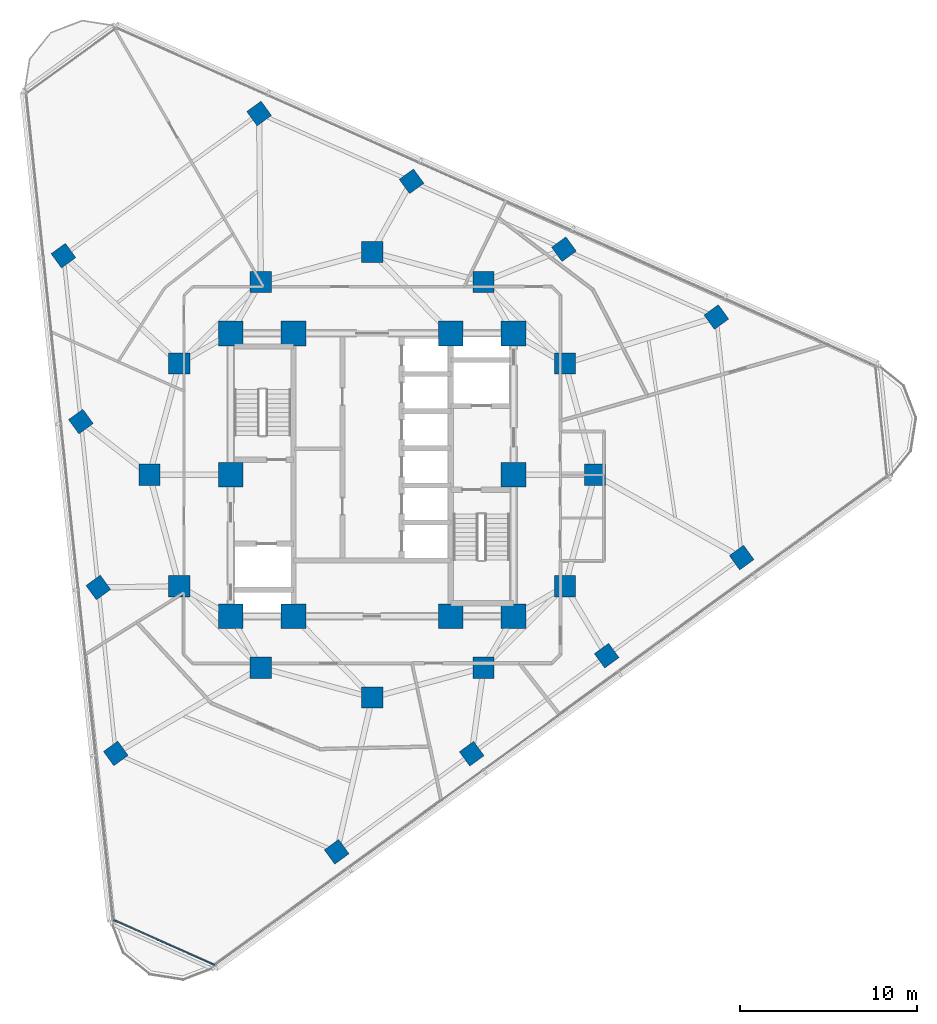
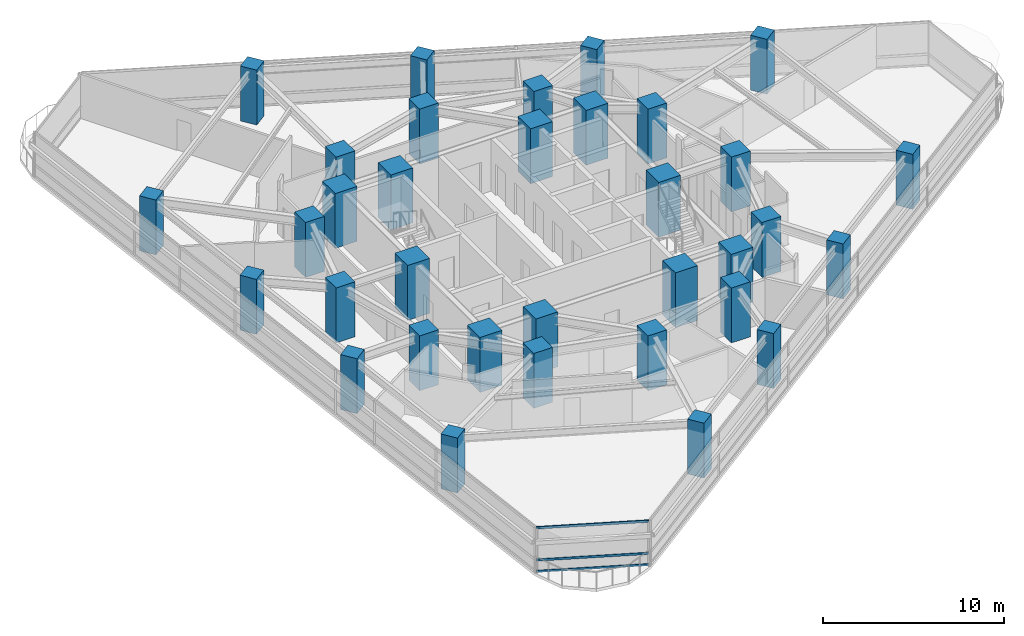
# One storey, part 1 of 14: 34 columns, 3 members, 1 element without a shape of its own.
"""IFC4 building model written with IfcOpenShell, lengths in metres."""

import ifcopenshell
import ifcopenshell.guid

model = None  # the IFC model being written
_history = None  # IfcOwnerHistory: only IFC2X3 demands one
_inside = {}  # id of a spatial element -> (the spatial element, [elements in it])
_under = {}  # id of a project, library or spatial element -> (it, [spatial elements below it])
_declared = {}  # id of a project -> (the project, [libraries it declares])
_typed = {}  # id of a type object -> (the type object, [elements of that type])
_made_of = {}  # id of a material, layer set ... -> (it, [elements and type objects made of it])


def new_model(schema):
    """Start an empty IFC model of exactly this schema.

    Asked for "IFC4X3", IfcOpenShell would pick the latest addendum, in which some entities
    have other attributes; the version numbers below select the first issue.
    IFC2X3 requires an IfcOwnerHistory on every rooted entity: one is made here for all.
    """
    global model, _history
    if schema == "IFC4X3":
        model = ifcopenshell.file(schema_version=(4, 3, 0, 0))
    else:
        model = ifcopenshell.file(schema=schema)
    _inside.clear()
    _under.clear()
    _declared.clear()
    _typed.clear()
    _made_of.clear()
    _history = None
    if model.schema == "IFC2X3":
        org = make("IfcOrganization", Name="unknown")
        user = make(
            "IfcPersonAndOrganization",
            ThePerson=make("IfcPerson", FamilyName="unknown"),
            TheOrganization=org,
        )
        app = make(
            "IfcApplication",
            ApplicationDeveloper=org,
            Version="unknown",
            ApplicationFullName="unknown",
            ApplicationIdentifier="unknown",
        )
        _history = make(
            "IfcOwnerHistory",
            OwningUser=user,
            OwningApplication=app,
            ChangeAction="ADDED",
            CreationDate=0,
        )
    return model


def make(cls, **values):
    """One entity of the class cls with the attributes given. An attribute that is None is left unset."""
    return model.create_entity(
        cls, **{name: value for name, value in values.items() if value is not None}
    )


def rooted(cls, **values):
    """An entity with a GlobalId (a new one), such as an element, a storey or a relation."""
    return make(cls, GlobalId=ifcopenshell.guid.new(), OwnerHistory=_history, **values)


def si_unit(unit_type, name, prefix=None):
    """IfcSIUnit, for example si_unit("LENGTHUNIT", "METRE", prefix="MILLI")."""
    return make("IfcSIUnit", UnitType=unit_type, Prefix=prefix, Name=name)


def assignment(units):
    """IfcUnitAssignment: the units of a project."""
    return None if units is None else make("IfcUnitAssignment", Units=units)


def point(xyz):
    """IfcCartesianPoint."""
    return None if xyz is None else make("IfcCartesianPoint", Coordinates=xyz)


def direction(xyz):
    """IfcDirection."""
    return None if xyz is None else make("IfcDirection", DirectionRatios=xyz)


def frame(location, z_axis=None, x_axis=None):
    """IfcAxis2Placement3D, a coordinate frame: its origin and axes. An axis left out is left unset."""
    return make(
        "IfcAxis2Placement3D",
        Location=point(location),
        Axis=direction(z_axis),
        RefDirection=direction(x_axis),
    )


def frame_2d(location, x_axis=None):
    """IfcAxis2Placement2D, a coordinate frame in the plane: its origin and x axis."""
    return make(
        "IfcAxis2Placement2D", Location=point(location), RefDirection=direction(x_axis)
    )


def origin():
    """The frame at (0, 0, 0) with its axes left unset."""
    return frame((0.0, 0.0, 0.0))


def origin_2d():
    """The frame at (0, 0) in the plane with its x axis left unset."""
    return frame_2d((0.0, 0.0))


def place(relative_to, where):
    """IfcLocalPlacement: puts the frame where relative to a parent placement (None: the world)."""
    return make(
        "IfcLocalPlacement", PlacementRelTo=relative_to, RelativePlacement=where
    )


def context(
    kind, dimensions, precision=None, world=None, true_north=None, identifier=None
):
    """IfcGeometricRepresentationContext, for example the 3D "Model" context."""
    return make(
        "IfcGeometricRepresentationContext",
        ContextIdentifier=identifier,
        ContextType=kind,
        CoordinateSpaceDimension=dimensions,
        Precision=precision,
        WorldCoordinateSystem=world,
        TrueNorth=true_north,
    )


def subcontext(parent, identifier, kind, view, scale=None):
    """IfcGeometricRepresentationSubContext, for example "Body" below "Model"."""
    return make(
        "IfcGeometricRepresentationSubContext",
        ContextIdentifier=identifier,
        ContextType=kind,
        ParentContext=parent,
        TargetScale=scale,
        TargetView=view,
    )


def project(units=None, contexts=None):
    """IfcProject with its units and contexts."""
    return rooted(
        "IfcProject",
        Name="project",
        RepresentationContexts=contexts,
        UnitsInContext=assignment(units),
    )


def spatial(cls, under=None, at=None, **own):
    """A site, building, storey or space (cls), placed at a placement, below another one or the project."""
    s = rooted(cls, ObjectPlacement=at, **own)
    if under is not None:
        _under.setdefault(under.id(), (under, []))[1].append(s)
    return s


def profile(cls, at=None, kind="AREA", **sizes):
    """A parametric profile (cls). Its sizes go by their IFC names, for example OverallWidth=200.0."""
    return make(cls, ProfileType=kind, Position=at, **sizes)


def rectangle(**sizes):
    """IfcRectangleProfileDef."""
    return profile("IfcRectangleProfileDef", **sizes)


def extrude(swept, where, along, depth):
    """IfcExtrudedAreaSolid: the profile swept, set in the frame where, extruded along a direction by depth."""
    return make(
        "IfcExtrudedAreaSolid",
        SweptArea=swept,
        Position=where,
        ExtrudedDirection=direction(along),
        Depth=depth,
    )


def shape(context_of_items, identifier, shape_type, items):
    """IfcShapeRepresentation: the items that make up one representation, for example the "Body"."""
    return make(
        "IfcShapeRepresentation",
        ContextOfItems=context_of_items,
        RepresentationIdentifier=identifier,
        RepresentationType=shape_type,
        Items=items,
    )


def material(Name=None, Category=None):
    """IfcMaterial."""
    return make("IfcMaterial", Name=Name, Category=Category)


def layer(
    of_material, thickness, ventilated=None, Name=None, Category=None, Priority=None
):
    """IfcMaterialLayer: one layer of a wall or slab, of a material (None: an air gap)."""
    return make(
        "IfcMaterialLayer",
        Material=of_material,
        LayerThickness=thickness,
        IsVentilated=ventilated,
        Name=Name,
        Category=Category,
        Priority=Priority,
    )


def layer_set(layers, Name=None):
    """IfcMaterialLayerSet."""
    return make("IfcMaterialLayerSet", MaterialLayers=layers, LayerSetName=Name)


def material_profile(
    of_material, cross_section, Name=None, Category=None, Priority=None
):
    """IfcMaterialProfile: a cross section and its material."""
    return make(
        "IfcMaterialProfile",
        Name=Name,
        Material=of_material,
        Profile=cross_section,
        Priority=Priority,
        Category=Category,
    )


def profile_set(profiles, Name=None, composite=None):
    """IfcMaterialProfileSet."""
    return make(
        "IfcMaterialProfileSet",
        Name=Name,
        MaterialProfiles=profiles,
        CompositeProfile=composite,
    )


def made_of(thing, what):
    """Note that an element or type object is made of a material, layer set ...; save() writes the relation."""
    if what is not None:
        _made_of.setdefault(what.id(), (what, []))[1].append(thing)
    return thing


def type_object(cls, material=None, **own):
    """A type object (cls), such as IfcWallType, which elements share."""
    return made_of(rooted(cls, **own), material)


def element(
    cls,
    number,
    at=None,
    inside=None,
    cuts=None,
    type_object=None,
    material=None,
    context=None,
    identifier="Body",
    shape_type=None,
    held_by="IfcProductDefinitionShape",
    body=None,
    shapes=None,
    **own,
):
    """One element of the class cls, such as IfcWall. Its Tag is "e" and its number.

    at: its placement. inside: the storey or other place that contains it. cuts: it is an
    opening in that element (IfcRelVoidsElement). A single representation is given by context,
    identifier, shape_type and body (its items); several are given by shapes. held_by: the class
    of the entity that holds the representations. save() writes the other relations.
    """
    e = rooted(cls, Tag="e%d" % number, ObjectPlacement=at, **own)
    if body is not None:
        shapes = [shape(context, identifier, shape_type, body)]
    if shapes is not None:
        e.Representation = make(held_by, Representations=shapes)
    if inside is not None:
        _inside.setdefault(inside.id(), (inside, []))[1].append(e)
    if cuts is not None:
        rooted(
            "IfcRelVoidsElement", RelatingBuildingElement=cuts, RelatedOpeningElement=e
        )
    if type_object is not None:
        _typed.setdefault(type_object.id(), (type_object, []))[1].append(e)
    return made_of(e, material)


def aggregate(whole, parts):
    """IfcRelAggregates: a whole, such as a stair, and the parts it consists of."""
    return rooted("IfcRelAggregates", RelatingObject=whole, RelatedObjects=parts)


def save(model, path):
    """Write the relations noted so far, then the file.

    IfcRelAggregates (storeys below a building ...), IfcRelContainedInSpatialStructure (elements
    in a storey), IfcRelDefinesByType, IfcRelAssociatesMaterial and IfcRelDeclares: one each for
    every whole, place, type object, material and project.
    """
    for whole, parts in _under.values():
        aggregate(whole, parts)
    for where, things in _inside.values():
        rooted(
            "IfcRelContainedInSpatialStructure",
            RelatedElements=things,
            RelatingStructure=where,
        )
    for kind, things in _typed.values():
        rooted("IfcRelDefinesByType", RelatedObjects=things, RelatingType=kind)
    for what, things in _made_of.values():
        rooted("IfcRelAssociatesMaterial", RelatedObjects=things, RelatingMaterial=what)
    for by, libraries in _declared.values():
        rooted("IfcRelDeclares", RelatingContext=by, RelatedDefinitions=libraries)
    model.write(path)


model = new_model("IFC4")

# Units and contexts
model_context = context("Model", 3, precision=1e-05, world=origin(), true_north=direction((0.0, 1.0)))
body_context = subcontext(model_context, "Body", "Model", "MODEL_VIEW")
ifc_project = project(units=[si_unit("LENGTHUNIT", "METRE"), si_unit("AREAUNIT", "SQUARE_METRE"), si_unit("VOLUMEUNIT", "CUBIC_METRE"), si_unit("PLANEANGLEUNIT", "RADIAN"), si_unit("MASSUNIT", "GRAM", prefix="KILO")], contexts=[model_context])

# Site, building, storey
site_placement = place(None, origin())
site = spatial("IfcSite", under=ifc_project, at=site_placement, CompositionType="ELEMENT")
building_placement = place(site_placement, origin())
building = spatial("IfcBuilding", under=site, at=building_placement, Name="Terralouvre Media Tower", CompositionType="ELEMENT")
storey_placement = place(building_placement, frame((0.0, 0.0, 154.60009765625)))
storey = spatial("IfcBuildingStorey", under=building, at=storey_placement, Name="L39", CompositionType="ELEMENT", Elevation=154.60009765625)

# Columns
ifc_material_1 = material(Name="Concrete C50/60", Category="concrete")
ifc_material_profile_1 = material_profile(ifc_material_1, rectangle(XDim=1.0, YDim=1.0, at=origin_2d()), Name="RC 1000x1000")
ifc_profile_set_1 = profile_set([ifc_material_profile_1], Name="Concrete C50/60")
column_type_1 = type_object("IfcColumnType", Name="Structural Column C-RC1000 (RC 1000x1000)", PredefinedType="COLUMN", material=ifc_profile_set_1)
for number, where, z_axis, x_axis, name in (
    (1, (-2.0068359375, -21.328369140625, 0.0), (0.0, 0.0, 1.0), (0.809016994375, 0.587785252292, 0.0), "L39 Perimeter Mega-Column PC11"),
    (2, (5.63037109375, -15.77978515625, 0.0), (0.0, 0.0, 1.0), (0.809016994375, 0.587785252292, 0.0), "L39 Perimeter Mega-Column PC12"),
    (3, (13.267578125, -10.23095703125, 0.0), (0.0, 0.0, 1.0), (0.809016994375, 0.587785252292, 0.0), "L39 Perimeter Mega-Column PC13"),
    (4, (20.904541015625, -4.682373046875, 0.0), (0.0, 0.0, 1.0), (0.809016994375, 0.587785252292, 0.0), "L39 Perimeter Mega-Column PC14"),
    (5, (19.474365234375, 8.92626953125, 0.0), (0.0, 0.0, 1.0), (0.809016994375, 0.587785252292, 0.0), "L39 Perimeter Mega-Column PC21"),
    (6, (10.850341796875, 12.765869140625, 0.0), (0.0, 0.0, 1.0), (0.809016994375, 0.587785252292, 0.0), "L39 Perimeter Mega-Column PC22"),
    (7, (2.2265625, 16.60546875, 0.0), (0.0, 0.0, 1.0), (0.809016994375, 0.587785252292, 0.0), "L39 Perimeter Mega-Column PC23"),
    (8, (-6.397216796875, 20.445068359375, 0.0), (0.0, 0.0, 1.0), (0.809016994375, 0.587785252292, 0.0), "L39 Perimeter Mega-Column PC24"),
    (9, (-17.467529296875, 12.402099609375, 0.0), (0.0, 0.0, 1.0), (0.809016994375, 0.587785252292, 0.0), "L39 Perimeter Mega-Column PC31"),
    (10, (-16.480712890625, 3.013916015625, 0.0), (0.0, 0.0, 1.0), (0.809016994375, 0.587785252292, 0.0), "L39 Perimeter Mega-Column PC32"),
    (11, (-15.494140625, -6.37451171875, 0.0), (0.0, 0.0, 1.0), (0.809016994375, 0.587785252292, 0.0), "L39 Perimeter Mega-Column PC33"),
    (12, (-14.50732421875, -15.7626953125, 0.0), (0.0, 0.0, 1.0), (0.809016994375, 0.587785252292, 0.0), "L39 Perimeter Mega-Column PC34"),
):
    element("IfcColumn", number, at=place(storey_placement, frame(where, z_axis=z_axis, x_axis=x_axis)), inside=storey, type_object=column_type_1, Name=name, PredefinedType="COLUMN", context=body_context, shape_type="SweptSolid", body=[
        extrude(rectangle(XDim=1.0, YDim=1.0, at=origin_2d()), origin(), (0.0, 0.0, 1.0), 3.699951171875),
    ])
ifc_material_2 = material(Name="Concrete C60/75", Category="concrete")
ifc_material_profile_2 = material_profile(ifc_material_2, rectangle(XDim=1.199951171875, YDim=1.199951171875, at=origin_2d()), Name="RC 1200x1200")
ifc_profile_set_2 = profile_set([ifc_material_profile_2], Name="Concrete C60/75")
column_type_2 = type_object("IfcColumnType", Name="Structural Column C-RC1200 (RC 1200x1200)", PredefinedType="COLUMN", material=ifc_profile_set_2)
for number, where, z_axis, x_axis, name in (
    (13, (12.60009765625, 0.0, 0.0), (0.0, 0.0, 1.0), (1.0, 0.0, 0.0), "L39 Mega-Frame Column MC01"),
    (14, (10.911865234375, 6.300048828125, 0.0), (0.0, 0.0, 1.0), (1.0, 0.0, 0.0), "L39 Mega-Frame Column MC02"),
    (15, (6.300048828125, 10.911865234375, 0.0), (0.0, 0.0, 1.0), (1.0, 0.0, 0.0), "L39 Mega-Frame Column MC03"),
    (16, (0.0, 12.60009765625, 0.0), (0.0, 0.0, 1.0), (1.0, 0.0, 0.0), "L39 Mega-Frame Column MC04"),
    (17, (-6.300048828125, 10.911865234375, 0.0), (0.0, 0.0, 1.0), (1.0, 0.0, 0.0), "L39 Mega-Frame Column MC05"),
    (18, (-10.911865234375, 6.300048828125, 0.0), (0.0, 0.0, 1.0), (1.0, 0.0, 0.0), "L39 Mega-Frame Column MC06"),
    (19, (-12.60009765625, 0.0, 0.0), (0.0, 0.0, 1.0), (1.0, 0.0, 0.0), "L39 Mega-Frame Column MC07"),
    (20, (-10.911865234375, -6.300048828125, 0.0), (0.0, 0.0, 1.0), (1.0, 0.0, 0.0), "L39 Mega-Frame Column MC08"),
    (21, (-6.300048828125, -10.911865234375, 0.0), (0.0, 0.0, 1.0), (1.0, 0.0, 0.0), "L39 Mega-Frame Column MC09"),
    (22, (0.0, -12.60009765625, 0.0), (0.0, 0.0, 1.0), (1.0, 0.0, 0.0), "L39 Mega-Frame Column MC10"),
    (23, (6.300048828125, -10.911865234375, 0.0), (0.0, 0.0, 1.0), (1.0, 0.0, 0.0), "L39 Mega-Frame Column MC11"),
    (24, (10.911865234375, -6.300048828125, 0.0), (0.0, 0.0, 1.0), (1.0, 0.0, 0.0), "L39 Mega-Frame Column MC12"),
):
    element("IfcColumn", number, at=place(storey_placement, frame(where, z_axis=z_axis, x_axis=x_axis)), inside=storey, type_object=column_type_2, Name=name, PredefinedType="COLUMN", context=body_context, shape_type="SweptSolid", body=[
        extrude(rectangle(XDim=1.199951171875, YDim=1.199951171875, at=origin_2d()), origin(), (0.0, 0.0, 1.0), 3.699951171875),
    ])
ifc_material_3 = material(Name="Concrete C60/75", Category="concrete")
ifc_material_profile_3 = material_profile(ifc_material_3, rectangle(XDim=1.39990234375, YDim=1.39990234375, at=origin_2d()), Name="RC 1400x1400")
ifc_profile_set_3 = profile_set([ifc_material_profile_3], Name="Concrete C60/75")
column_type_3 = type_object("IfcColumnType", Name="Structural Column C-RC1400 (RC 1400x1400)", PredefinedType="COLUMN", material=ifc_profile_set_3)
for number, where, z_axis, x_axis, name in (
    (25, (-8.0, -8.0, 0.0), (0.0, 0.0, 1.0), (1.0, 0.0, 0.0), "L39 Core Pilaster Column CP1"),
    (26, (-4.449951171875, -8.0, 0.0), (0.0, 0.0, 1.0), (1.0, 0.0, 0.0), "L39 Core Pilaster Column CP2"),
    (27, (4.449951171875, -8.0, 0.0), (0.0, 0.0, 1.0), (1.0, 0.0, 0.0), "L39 Core Pilaster Column CP10"),
    (28, (8.0, -8.0, 0.0), (0.0, 0.0, 1.0), (1.0, 0.0, 0.0), "L39 Core Pilaster Column CP3"),
    (29, (8.0, 0.0, 0.0), (0.0, 0.0, 1.0), (1.0, 0.0, 0.0), "L39 Core Pilaster Column CP4"),
    (30, (8.0, 8.0, 0.0), (0.0, 0.0, 1.0), (1.0, 0.0, 0.0), "L39 Core Pilaster Column CP5"),
    (31, (4.449951171875, 8.0, 0.0), (0.0, 0.0, 1.0), (1.0, 0.0, 0.0), "L39 Core Pilaster Column CP9"),
    (32, (-4.449951171875, 8.0, 0.0), (0.0, 0.0, 1.0), (1.0, 0.0, 0.0), "L39 Core Pilaster Column CP6"),
    (33, (-8.0, 8.0, 0.0), (0.0, 0.0, 1.0), (1.0, 0.0, 0.0), "L39 Core Pilaster Column CP7"),
    (34, (-8.0, 0.0, 0.0), (0.0, 0.0, 1.0), (1.0, 0.0, 0.0), "L39 Core Pilaster Column CP8"),
):
    element("IfcColumn", number, at=place(storey_placement, frame(where, z_axis=z_axis, x_axis=x_axis)), inside=storey, type_object=column_type_3, Name=name, PredefinedType="COLUMN", context=body_context, shape_type="SweptSolid", body=[
        extrude(rectangle(XDim=1.39990234375, YDim=1.39990234375, at=origin_2d()), origin(), (0.0, 0.0, 1.0), 3.699951171875),
    ])

# Curtain wall, members
ifc_material_4 = material(Name="Low-iron laminated double glazing with solar-control coating", Category="glass")
ifc_layer = layer(ifc_material_4, 0.1650390625, Name="Rounded Wind-Corner Curved Glazing CW-04")
ifc_layer_set = layer_set([ifc_layer], Name="Low-iron laminated double glazing with solar-control coating")
curtain_wall_type = type_object("IfcCurtainWallType", Name="Rounded Wind-Corner Curved Glazing CW-04", PredefinedType="NOTDEFINED", material=ifc_layer_set)
curtain_wall_placement = place(storey_placement, origin())
curtain_wall = element("IfcCurtainWall", 35, at=curtain_wall_placement, inside=storey, type_object=curtain_wall_type, Name="L39 Rounded Wind-Corner Curtain Wall C0", PredefinedType="NOTDEFINED")
ifc_material_5 = material(Name="Anodised extruded aluminium 6063-T6", Category="aluminium")
ifc_material_profile_4 = material_profile(ifc_material_5, rectangle(XDim=0.074951171875, YDim=0.14990234375, at=origin_2d()), Name="ALU 75x150")
ifc_profile_set_4 = profile_set([ifc_material_profile_4], Name="Anodised extruded aluminium 6063-T6")
member_type = type_object("IfcMemberType", Name="Curtain-Wall Horizontal Transom TR-150", PredefinedType="USERDEFINED", material=ifc_profile_set_4)
member_1_placement = place(storey_placement, frame((-14.63818359375, -25.184326171875, 0.037353515625), z_axis=(0.913542712087, -0.406742809639, 0.0), x_axis=(0.406742809639, 0.913542712087, 0.0)))
member_1 = element("IfcMember", 36, at=member_1_placement, type_object=member_type, Name="CW-04 transom 1.1", ObjectType="TRANSOM", PredefinedType="USERDEFINED", context=body_context, shape_type="SweptSolid", body=[
    extrude(rectangle(XDim=0.074951171875, YDim=0.14990234375, at=origin_2d()), origin(), (0.0, 0.0, 1.0), 6.258544921875),
])
member_2_placement = place(storey_placement, frame((-14.63818359375, -25.184326171875, 0.7998046875), z_axis=(0.913542712087, -0.406742809639, 0.0), x_axis=(0.406742809639, 0.913542712087, 0.0)))
member_2 = element("IfcMember", 37, at=member_2_placement, type_object=member_type, Name="CW-04 transom 1.2", ObjectType="TRANSOM", PredefinedType="USERDEFINED", context=body_context, shape_type="SweptSolid", body=[
    extrude(rectangle(XDim=0.074951171875, YDim=0.14990234375, at=origin_2d()), origin(), (0.0, 0.0, 1.0), 6.258544921875),
])
member_3_placement = place(storey_placement, frame((-14.63818359375, -25.184326171875, 2.96240234375), z_axis=(0.913542712087, -0.406742809639, 0.0), x_axis=(0.406742809639, 0.913542712087, 0.0)))
member_3 = element("IfcMember", 38, at=member_3_placement, type_object=member_type, Name="CW-04 transom 1.3", ObjectType="TRANSOM", PredefinedType="USERDEFINED", context=body_context, shape_type="SweptSolid", body=[
    extrude(rectangle(XDim=0.074951171875, YDim=0.14990234375, at=origin_2d()), origin(), (0.0, 0.0, 1.0), 6.258544921875),
])
aggregate(curtain_wall, [member_1, member_2, member_3])

save(model, "model.ifc")
